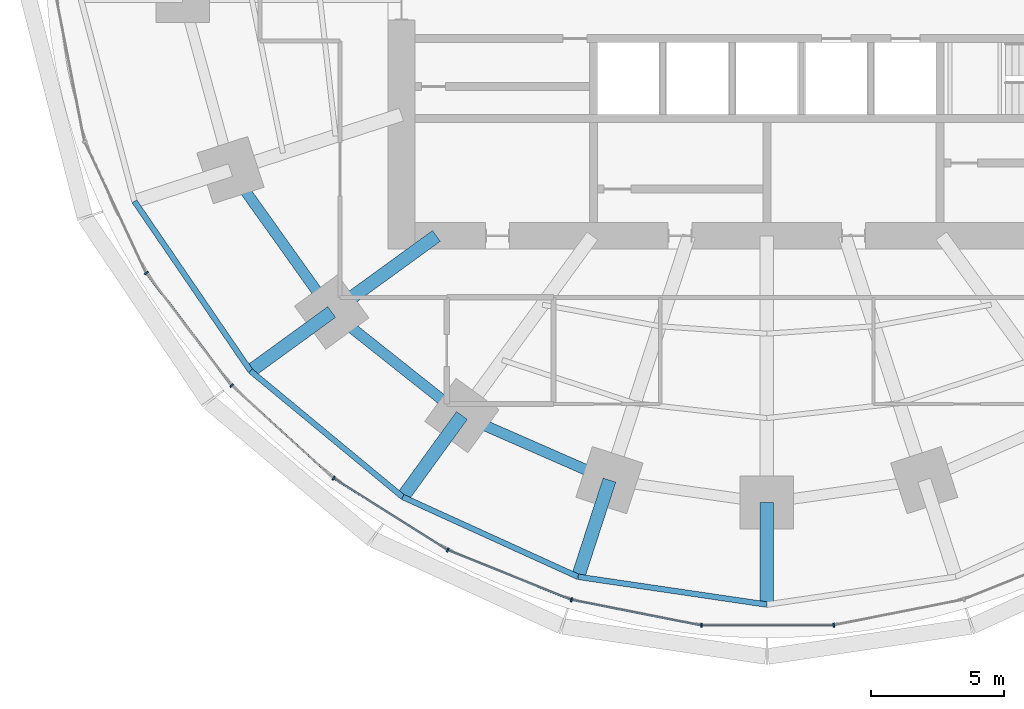
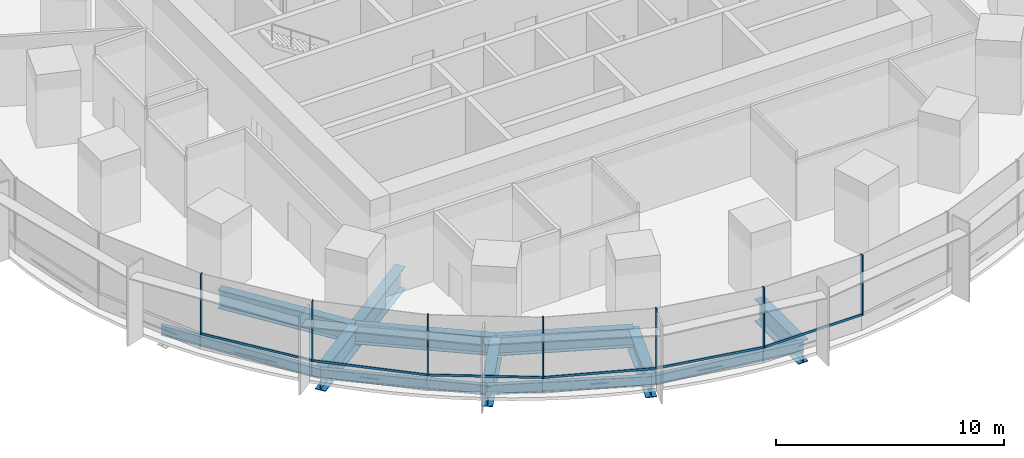
# One storey, part 2 of 15: 13 members, 12 beams, 2 elements without a shape of their own.
"""IFC4 building model written with IfcOpenShell, lengths in metres."""

from ifc_helpers import new_model, si_unit, direction, frame, origin, origin_2d, place, context, subcontext, project, spatial, rectangle, i_section, extrude, material, material_profile, profile_set, type_object, element, aggregate, save


model = new_model("IFC4")

# Units and contexts
model_context = context("Model", 3, precision=1e-05, world=origin(), true_north=direction((0.0, 1.0)))
body_context = subcontext(model_context, "Body", "Model", "MODEL_VIEW")
ifc_project = project(units=[si_unit("LENGTHUNIT", "METRE"), si_unit("AREAUNIT", "SQUARE_METRE"), si_unit("VOLUMEUNIT", "CUBIC_METRE"), si_unit("PLANEANGLEUNIT", "RADIAN"), si_unit("MASSUNIT", "GRAM", prefix="KILO")], contexts=[model_context])

# Site, building, storey
site_placement = place(None, origin())
site = spatial("IfcSite", under=ifc_project, at=site_placement, CompositionType="ELEMENT")
building_placement = place(site_placement, origin())
building = spatial("IfcBuilding", under=site, at=building_placement, Name="Marramba Exchange Tower", CompositionType="ELEMENT")
storey_placement = place(building_placement, frame((0.0, 0.0, 32.199951171875)))
storey = spatial("IfcBuildingStorey", under=building, at=storey_placement, Name="L07", CompositionType="ELEMENT", Elevation=32.199951171875)

# Beams
ifc_material_1 = material(Name="Steel AS/NZS 3679.2 grade 300", Category="steel")
ifc_material_profile_1 = material_profile(ifc_material_1, i_section(OverallWidth=0.5, OverallDepth=1.199951171875, WebThickness=0.01611328125, FlangeThickness=0.0400390625, at=origin_2d()), Name="1200WB455")
ifc_profile_set_1 = profile_set([ifc_material_profile_1], Name="Steel AS/NZS 3679.2 grade 300")
beam_type_1 = type_object("IfcBeamType", Name="Cantilever girder 1200WB455", PredefinedType="BEAM", material=ifc_profile_set_1)
beam_1_placement = place(storey_placement, frame((-16.3154296875, -11.853759765625, -0.760009765625), z_axis=(-0.809008346081, -0.587797155463, 0.0), x_axis=(0.587797155463, -0.809008346081, 0.0)))
element("IfcBeam", 1, at=beam_1_placement, inside=storey, type_object=beam_type_1, Name="Cantilever girder L07 TC13", PredefinedType="BEAM", context=body_context, shape_type="SweptSolid", body=[
    extrude(i_section(OverallWidth=0.5, OverallDepth=1.199951171875, WebThickness=0.01611328125, FlangeThickness=0.0400390625, at=origin_2d()), origin(), (0.0, 0.0, 1.0), 3.76025390625),
])
beam_2_placement = place(storey_placement, frame((-11.430419921875, -15.732666015625, -0.760009765625), z_axis=(-0.587787232741, -0.809015555491, 0.0), x_axis=(0.809015555491, -0.587787232741, 0.0)))
element("IfcBeam", 2, at=beam_2_placement, inside=storey, type_object=beam_type_1, Name="Cantilever girder L07 TC14", PredefinedType="BEAM", context=body_context, shape_type="SweptSolid", body=[
    extrude(i_section(OverallWidth=0.5, OverallDepth=1.199951171875, WebThickness=0.01611328125, FlangeThickness=0.0400390625, at=origin_2d()), origin(), (0.0, 0.0, 1.0), 3.7763671875),
])
beam_3_placement = place(storey_placement, frame((-5.899658203125, -18.156982421875, -0.760009765625), z_axis=(-0.309009272901, -0.951059025119, 0.0), x_axis=(0.951059025119, -0.309009272901, 0.0)))
element("IfcBeam", 3, at=beam_3_placement, inside=storey, type_object=beam_type_1, Name="Cantilever girder L07 TC15", PredefinedType="BEAM", context=body_context, shape_type="SweptSolid", body=[
    extrude(i_section(OverallWidth=0.5, OverallDepth=1.199951171875, WebThickness=0.01611328125, FlangeThickness=0.0400390625, at=origin_2d()), origin(), (0.0, 0.0, 1.0), 3.809814453125),
])
beam_4_placement = place(storey_placement, frame((0.0, -18.99609375, -0.760009765625), z_axis=(0.0, -1.0, 0.0), x_axis=(1.0, 0.0, 0.0)))
element("IfcBeam", 4, at=beam_4_placement, inside=storey, type_object=beam_type_1, Name="Cantilever girder L07 TC16", PredefinedType="BEAM", context=body_context, shape_type="SweptSolid", body=[
    extrude(i_section(OverallWidth=0.5, OverallDepth=1.199951171875, WebThickness=0.01611328125, FlangeThickness=0.0400390625, at=origin_2d()), origin(), (0.0, 0.0, 1.0), 3.825927734375),
])
ifc_material_profile_2 = material_profile(ifc_material_1, i_section(OverallWidth=0.5, OverallDepth=1.199951171875, WebThickness=0.01611328125, FlangeThickness=0.0400390625, at=origin_2d()), Name="1200WB455")
ifc_profile_set_2 = profile_set([ifc_material_profile_2], Name="Steel AS/NZS 3679.2 grade 300")
beam_type_2 = type_object("IfcBeamType", Name="Radial girder 1200WB455", PredefinedType="BEAM", material=ifc_profile_set_2)
beam_5_placement = place(storey_placement, frame((-12.387451171875, -9.0, -0.760009765625), z_axis=(-0.809025189606, -0.58777397236, 0.0), x_axis=(0.58777397236, -0.809025189606, 0.0)))
element("IfcBeam", 5, at=beam_5_placement, inside=storey, type_object=beam_type_2, Name="Radial girder L07 TC13", PredefinedType="BEAM", context=body_context, shape_type="SweptSolid", body=[
    extrude(i_section(OverallWidth=0.5, OverallDepth=1.199951171875, WebThickness=0.01611328125, FlangeThickness=0.0400390625, at=origin_2d()), origin(), (0.0, 0.0, 1.0), 4.855224609375),
])
ifc_material_profile_3 = material_profile(ifc_material_1, i_section(OverallWidth=0.39990234375, OverallDepth=1.0, WebThickness=0.01611328125, FlangeThickness=0.031982421875, at=origin_2d()), Name="1000WB322")
ifc_profile_set_3 = profile_set([ifc_material_profile_3], Name="Steel AS/NZS 3679.2 grade 300")
beam_type_3 = type_object("IfcBeamType", Name="Ring beam 1000WB322", PredefinedType="SPANDREL", material=ifc_profile_set_3)
beam_6_placement = place(storey_placement, frame((-20.109375, -6.533935546875, -0.659912109375), z_axis=(0.580637181111, -0.814162430914, 0.0), x_axis=(0.814162430914, 0.580637181111, 0.0)))
element("IfcBeam", 6, at=beam_6_placement, inside=storey, type_object=beam_type_3, Name="Ring beam L07 TC12-TC13", PredefinedType="SPANDREL", context=body_context, shape_type="SweptSolid", body=[
    extrude(i_section(OverallWidth=0.39990234375, OverallDepth=1.0, WebThickness=0.01611328125, FlangeThickness=0.031982421875, at=origin_2d()), origin(), (0.0, 0.0, 1.0), 6.5341796875),
])
beam_7_placement = place(storey_placement, frame((-16.3154296875, -11.853759765625, -0.659912109375), z_axis=(0.783139438128, -0.621846138887, 0.0), x_axis=(0.621846138887, 0.783139438128, 0.0)))
element("IfcBeam", 7, at=beam_7_placement, inside=storey, type_object=beam_type_3, Name="Ring beam L07 TC13-TC14", PredefinedType="SPANDREL", context=body_context, shape_type="SweptSolid", body=[
    extrude(i_section(OverallWidth=0.39990234375, OverallDepth=1.0, WebThickness=0.01611328125, FlangeThickness=0.031982421875, at=origin_2d()), origin(), (0.0, 0.0, 1.0), 6.23779296875),
])
beam_8_placement = place(storey_placement, frame((-11.430419921875, -15.732666015625, -0.659912109375), z_axis=(0.915876892158, -0.4014592363, 0.0), x_axis=(0.4014592363, 0.915876892158, 0.0)))
element("IfcBeam", 8, at=beam_8_placement, inside=storey, type_object=beam_type_3, Name="Ring beam L07 TC14-TC15", PredefinedType="SPANDREL", context=body_context, shape_type="SweptSolid", body=[
    extrude(i_section(OverallWidth=0.39990234375, OverallDepth=1.0, WebThickness=0.01611328125, FlangeThickness=0.031982421875, at=origin_2d()), origin(), (0.0, 0.0, 1.0), 6.038818359375),
])
ifc_material_2 = material(Name="Steel AS/NZS 3679.1 grade 300", Category="steel")
ifc_material_profile_4 = material_profile(ifc_material_2, i_section(OverallWidth=0.208984375, OverallDepth=0.528076171875, WebThickness=0.009521484375, FlangeThickness=0.01318359375, FilletRadius=0.013916015625, at=origin_2d()), Name="530UB82.0")
ifc_profile_set_4 = profile_set([ifc_material_profile_4], Name="Steel AS/NZS 3679.1 grade 300")
beam_type_4 = type_object("IfcBeamType", Name="Slab edge beam 530UB82.0", PredefinedType="SPANDREL", material=ifc_profile_set_4)
beam_9_placement = place(storey_placement, frame((-23.709716796875, -7.703857421875, -0.424072265625), z_axis=(0.564740697285, -0.82526840775, 0.0), x_axis=(0.82526840775, 0.564740697285, 0.0)))
element("IfcBeam", 9, at=beam_9_placement, inside=storey, type_object=beam_type_4, Name="Slab edge beam L07 TC12-TC13", PredefinedType="SPANDREL", context=body_context, shape_type="SweptSolid", body=[
    extrude(i_section(OverallWidth=0.208984375, OverallDepth=0.528076171875, WebThickness=0.009521484375, FlangeThickness=0.01318359375, FilletRadius=0.013916015625, at=origin_2d()), origin(), (0.0, 0.0, 1.0), 7.706787109375),
])
beam_10_placement = place(storey_placement, frame((-19.357421875, -14.06396484375, -0.424072265625), z_axis=(0.770353575372, -0.637616945283, 0.0), x_axis=(0.637616945283, 0.770353575372, 0.0)))
element("IfcBeam", 10, at=beam_10_placement, inside=storey, type_object=beam_type_4, Name="Slab edge beam L07 TC13-TC14", PredefinedType="SPANDREL", context=body_context, shape_type="SweptSolid", body=[
    extrude(i_section(OverallWidth=0.208984375, OverallDepth=0.528076171875, WebThickness=0.009521484375, FlangeThickness=0.01318359375, FilletRadius=0.013916015625, at=origin_2d()), origin(), (0.0, 0.0, 1.0), 7.40869140625),
])
beam_11_placement = place(storey_placement, frame((-13.650146484375, -18.787841796875, -0.424072265625), z_axis=(0.910126690081, -0.414330071324, 0.0), x_axis=(0.414330071324, 0.910126690081, 0.0)))
element("IfcBeam", 11, at=beam_11_placement, inside=storey, type_object=beam_type_4, Name="Slab edge beam L07 TC14-TC15", PredefinedType="SPANDREL", context=body_context, shape_type="SweptSolid", body=[
    extrude(i_section(OverallWidth=0.208984375, OverallDepth=0.528076171875, WebThickness=0.009521484375, FlangeThickness=0.01318359375, FilletRadius=0.013916015625, at=origin_2d()), origin(), (0.0, 0.0, 1.0), 7.222412109375),
])
beam_12_placement = place(storey_placement, frame((-7.076904296875, -21.7802734375, -0.424072265625), z_axis=(0.989338462178, -0.145634498848, 0.0), x_axis=(0.145634498848, 0.989338462178, 0.0)))
element("IfcBeam", 12, at=beam_12_placement, inside=storey, type_object=beam_type_4, Name="Slab edge beam L07 TC15-TC16", PredefinedType="SPANDREL", context=body_context, shape_type="SweptSolid", body=[
    extrude(i_section(OverallWidth=0.208984375, OverallDepth=0.528076171875, WebThickness=0.009521484375, FlangeThickness=0.01318359375, FilletRadius=0.013916015625, at=origin_2d()), origin(), (0.0, 0.0, 1.0), 7.153076171875),
])

# Curtain wall, members
ifc_material_3 = material(Name="Aluminium framing, bronze anodised", Category="aluminium")
curtain_wall_type = type_object("IfcCurtainWallType", Name="Trading floor ribbon curtain wall", PredefinedType="USERDEFINED", material=ifc_material_3)
curtain_wall_1_placement = place(storey_placement, origin())
curtain_wall_1 = element("IfcCurtainWall", 13, at=curtain_wall_1_placement, inside=storey, type_object=curtain_wall_type, Name="Curtain wall CW3 L07 F16-F20", ObjectType="RIBBON CURTAIN WALL", PredefinedType="USERDEFINED")
ifc_material_4 = material(Name="Aluminium mullion, bronze anodised", Category="aluminium")
ifc_material_profile_5 = material_profile(ifc_material_4, rectangle(XDim=0.159912109375, YDim=0.06005859375, at=origin_2d()), Name="CW3 mullion 60x160")
ifc_profile_set_5 = profile_set([ifc_material_profile_5], Name="Aluminium mullion, bronze anodised")
member_type_1 = type_object("IfcMemberType", Name="Trading floor ribbon curtain wall mullion", PredefinedType="MULLION", material=ifc_profile_set_5)
member_1_placement = place(storey_placement, frame((-23.26318359375, -10.389404296875, 0.800048828125), z_axis=(0.0, 0.0, 1.0), x_axis=(0.797710591138, 0.603040473588, 0.0)))
member_1 = element("IfcMember", 14, at=member_1_placement, type_object=member_type_1, Name="CW3 mullion 1", PredefinedType="MULLION", context=body_context, shape_type="SweptSolid", body=[
    extrude(rectangle(XDim=0.159912109375, YDim=0.06005859375, at=origin_2d()), origin(), (0.0, 0.0, 1.0), 3.239990234375),
])
member_2_placement = place(storey_placement, frame((-20.063232421875, -14.61328125, 0.800048828125), z_axis=(0.0, 0.0, 1.0), x_axis=(0.673058133441, 0.739589581463, 0.0)))
member_2 = element("IfcMember", 15, at=member_2_placement, type_object=member_type_1, Name="CW3 mullion 1", PredefinedType="MULLION", context=body_context, shape_type="SweptSolid", body=[
    extrude(rectangle(XDim=0.159912109375, YDim=0.06005859375, at=origin_2d()), origin(), (0.0, 0.0, 1.0), 3.239990234375),
])
member_3_placement = place(storey_placement, frame((-16.242431640625, -18.083251953125, 0.800048828125), z_axis=(0.0, 0.0, 1.0), x_axis=(0.533514646612, 0.845790826298, 0.0)))
member_3 = element("IfcMember", 16, at=member_3_placement, type_object=member_type_1, Name="CW3 mullion 1", PredefinedType="MULLION", context=body_context, shape_type="SweptSolid", body=[
    extrude(rectangle(XDim=0.159912109375, YDim=0.06005859375, at=origin_2d()), origin(), (0.0, 0.0, 1.0), 3.239990234375),
])

curtain_wall_2_placement = place(storey_placement, origin())
curtain_wall_2 = element("IfcCurtainWall", 17, at=curtain_wall_2_placement, inside=storey, type_object=curtain_wall_type, Name="Curtain wall CW3 L07 F21-F25", ObjectType="RIBBON CURTAIN WALL", PredefinedType="USERDEFINED")
member_4_placement = place(storey_placement, frame((-11.96142578125, -20.77734375, 0.800048828125), z_axis=(0.0, 0.0, 1.0), x_axis=(0.374218219325, 0.927340673283, 0.0)))
member_4 = element("IfcMember", 18, at=member_4_placement, type_object=member_type_1, Name="CW3 mullion 1", PredefinedType="MULLION", context=body_context, shape_type="SweptSolid", body=[
    extrude(rectangle(XDim=0.159912109375, YDim=0.06005859375, at=origin_2d()), origin(), (0.0, 0.0, 1.0), 3.239990234375),
])
member_5_placement = place(storey_placement, frame((-7.325439453125, -22.64208984375, 0.800048828125), z_axis=(0.0, 0.0, 1.0), x_axis=(0.193961202977, 0.98100920064, 0.0)))
member_5 = element("IfcMember", 19, at=member_5_placement, type_object=member_type_1, Name="CW3 mullion 1", PredefinedType="MULLION", context=body_context, shape_type="SweptSolid", body=[
    extrude(rectangle(XDim=0.159912109375, YDim=0.06005859375, at=origin_2d()), origin(), (0.0, 0.0, 1.0), 3.239990234375),
])
member_6_placement = place(storey_placement, frame((-2.450439453125, -23.599853515625, 0.800048828125), z_axis=(0.0, 0.0, 1.0), x_axis=(0.0, 1.0, 0.0)))
member_6 = element("IfcMember", 20, at=member_6_placement, type_object=member_type_1, Name="CW3 mullion 1", PredefinedType="MULLION", context=body_context, shape_type="SweptSolid", body=[
    extrude(rectangle(XDim=0.159912109375, YDim=0.06005859375, at=origin_2d()), origin(), (0.0, 0.0, 1.0), 3.239990234375),
])
member_7_placement = place(storey_placement, frame((2.509765625, -23.59423828125, 0.800048828125), z_axis=(0.0, 0.0, 1.0), x_axis=(-0.193961202977, 0.98100920064, 0.0)))
member_7 = element("IfcMember", 21, at=member_7_placement, type_object=member_type_1, Name="CW3 mullion 1", PredefinedType="MULLION", context=body_context, shape_type="SweptSolid", body=[
    extrude(rectangle(XDim=0.159912109375, YDim=0.06005859375, at=origin_2d()), origin(), (0.0, 0.0, 1.0), 3.239990234375),
])

# Member
ifc_material_5 = material(Name="Aluminium transom, bronze anodised", Category="aluminium")
ifc_material_profile_6 = material_profile(ifc_material_5, rectangle(XDim=0.06005859375, YDim=0.1201171875, at=origin_2d()), Name="CW3 transom 60x120")
ifc_profile_set_6 = profile_set([ifc_material_profile_6], Name="Aluminium transom, bronze anodised")
member_type_2 = type_object("IfcMemberType", Name="Trading floor ribbon curtain wall transom", PredefinedType="USERDEFINED", material=ifc_profile_set_6)
member_8_placement = place(storey_placement, frame((-23.2451171875, -10.413330078125, 0.830078125), z_axis=(0.603037409419, -0.797712907531, 0.0), x_axis=(0.797712907531, 0.603037409419, 0.0)))
member_8 = element("IfcMember", 22, at=member_8_placement, type_object=member_type_2, Name="CW3 sill transom", ObjectType="TRANSOM", PredefinedType="USERDEFINED", context=body_context, shape_type="SweptSolid", body=[
    extrude(rectangle(XDim=0.06005859375, YDim=0.1201171875, at=origin_2d()), origin(), (0.0, 0.0, 1.0), 5.239501953125),
])

member_9_placement = place(storey_placement, frame((-20.041015625, -14.63330078125, 0.830078125), z_axis=(0.739582688456, -0.673065707741, 0.0), x_axis=(0.673065707741, 0.739582688456, 0.0)))
member_9 = element("IfcMember", 23, at=member_9_placement, type_object=member_type_2, Name="CW3 sill transom", ObjectType="TRANSOM", PredefinedType="USERDEFINED", context=body_context, shape_type="SweptSolid", body=[
    extrude(rectangle(XDim=0.06005859375, YDim=0.1201171875, at=origin_2d()), origin(), (0.0, 0.0, 1.0), 5.101806640625),
])

member_10_placement = place(storey_placement, frame((-16.217041015625, -18.09912109375, 0.830078125), z_axis=(0.845776602594, -0.533537195053, 0.0), x_axis=(0.533537195053, 0.845776602594, 0.0)))
member_10 = element("IfcMember", 24, at=member_10_placement, type_object=member_type_2, Name="CW3 sill transom", ObjectType="TRANSOM", PredefinedType="USERDEFINED", context=body_context, shape_type="SweptSolid", body=[
    extrude(rectangle(XDim=0.06005859375, YDim=0.1201171875, at=origin_2d()), origin(), (0.0, 0.0, 1.0), 4.998779296875),
])

aggregate(curtain_wall_1, [member_1, member_8, member_2, member_9, member_3, member_10])

member_11_placement = place(storey_placement, frame((-11.93359375, -20.78857421875, 0.830078125), z_axis=(0.927340197166, -0.374219399176, 0.0), x_axis=(0.374219399176, 0.927340197166, 0.0)))
member_11 = element("IfcMember", 25, at=member_11_placement, type_object=member_type_2, Name="CW3 sill transom", ObjectType="TRANSOM", PredefinedType="USERDEFINED", context=body_context, shape_type="SweptSolid", body=[
    extrude(rectangle(XDim=0.06005859375, YDim=0.1201171875, at=origin_2d()), origin(), (0.0, 0.0, 1.0), 4.937255859375),
])

member_12_placement = place(storey_placement, frame((-7.296142578125, -22.64794921875, 0.830078125), z_axis=(0.981018169547, -0.193915834883, 0.0), x_axis=(0.193915834883, 0.981018169547, 0.0)))
member_12 = element("IfcMember", 26, at=member_12_placement, type_object=member_type_2, Name="CW3 sill transom", ObjectType="TRANSOM", PredefinedType="USERDEFINED", context=body_context, shape_type="SweptSolid", body=[
    extrude(rectangle(XDim=0.06005859375, YDim=0.1201171875, at=origin_2d()), origin(), (0.0, 0.0, 1.0), 4.908935546875),
])

member_13_placement = place(storey_placement, frame((-2.42041015625, -23.599853515625, 0.830078125), z_axis=(1.0, 0.0, 0.0), x_axis=(0.0, 1.0, 0.0)))
member_13 = element("IfcMember", 27, at=member_13_placement, type_object=member_type_2, Name="CW3 sill transom", ObjectType="TRANSOM", PredefinedType="USERDEFINED", context=body_context, shape_type="SweptSolid", body=[
    extrude(rectangle(XDim=0.06005859375, YDim=0.1201171875, at=origin_2d()), origin(), (0.0, 0.0, 1.0), 4.90087890625),
])

aggregate(curtain_wall_2, [member_4, member_11, member_5, member_12, member_6, member_13, member_7])

save(model, "model.ifc")
